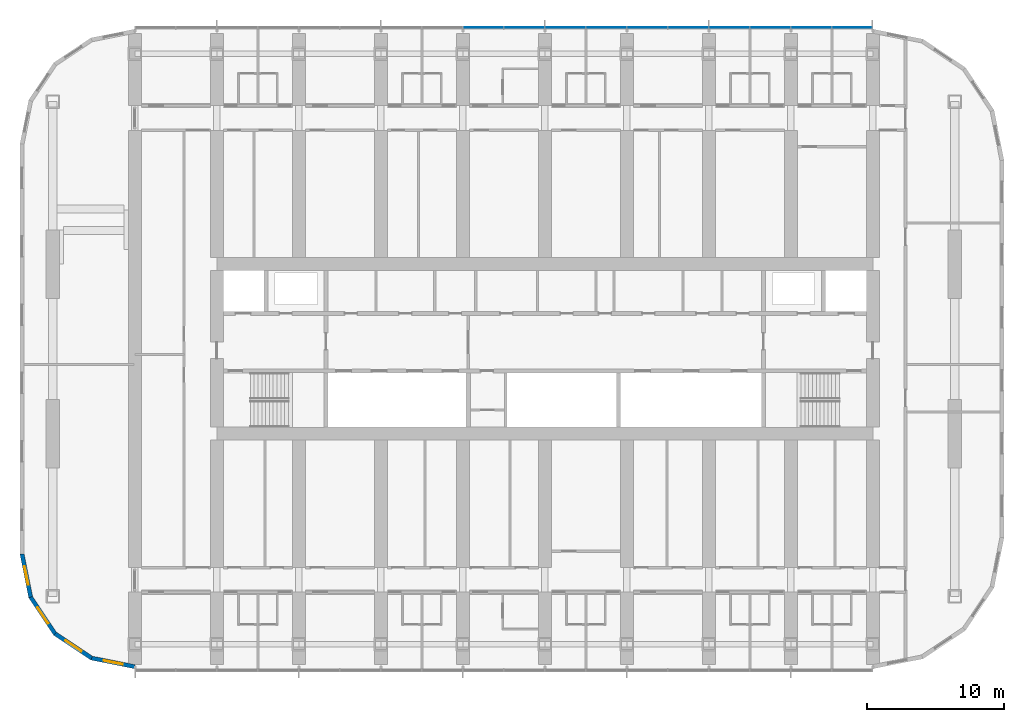
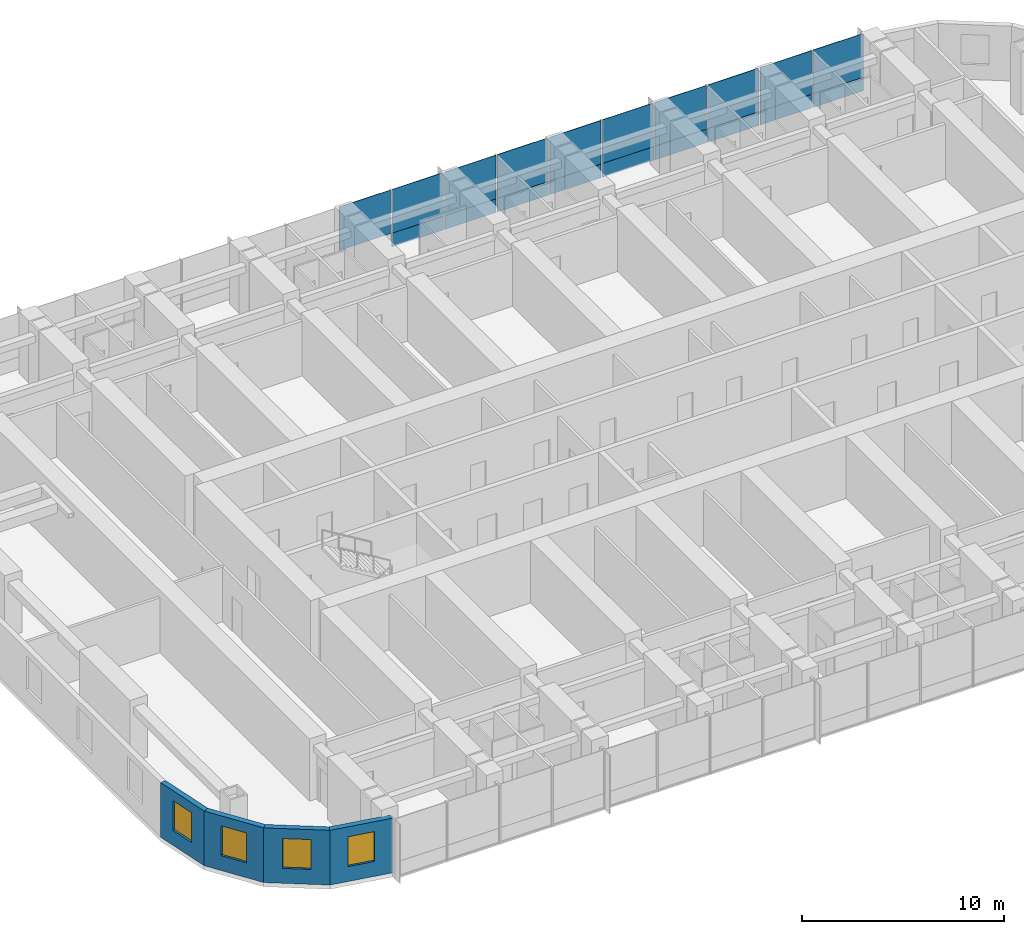
# One storey, part 7 of 21: 19 plates, 4 walls, 4 windows, 4 openings, 1 element without a shape of its own.
"""IFC4 building model written with IfcOpenShell, lengths in metres."""

from ifc_helpers import new_model, si_unit, direction, frame, frame_2d, origin, origin_2d, place, context, subcontext, project, spatial, polyline, rectangle, outline, extrude, material, layer, layer_set, type_object, element, fill, aggregate, save


model = new_model("IFC4")

# Units and contexts
model_context = context("Model", 3, precision=1e-05, world=origin(), true_north=direction((0.0, 1.0)))
body_context = subcontext(model_context, "Body", "Model", "MODEL_VIEW")
ifc_project = project(units=[si_unit("LENGTHUNIT", "METRE"), si_unit("AREAUNIT", "SQUARE_METRE"), si_unit("VOLUMEUNIT", "CUBIC_METRE"), si_unit("PLANEANGLEUNIT", "RADIAN"), si_unit("MASSUNIT", "GRAM", prefix="KILO")], contexts=[model_context])

# Site, building, storey
site_placement = place(None, origin())
site = spatial("IfcSite", under=ifc_project, at=site_placement, CompositionType="ELEMENT")
building_placement = place(site_placement, origin())
building = spatial("IfcBuilding", under=site, at=building_placement, Name="Orbita Commons", CompositionType="ELEMENT")
storey_placement = place(building_placement, frame((0.0, 0.0, 95.64990234375)))
storey = spatial("IfcBuildingStorey", under=building, at=storey_placement, Name="L23", CompositionType="ELEMENT", Elevation=95.64990234375)

# Curtain wall, plates
ifc_material_1 = material(Name="Anodised aluminium frame, pale silver", Category="aluminium")
curtain_wall_type = type_object("IfcCurtainWallType", Name="Unitised curtain wall CW-T, vision and spandrel", PredefinedType="NOTDEFINED", material=ifc_material_1)
curtain_wall_placement = place(storey_placement, origin())
curtain_wall = element("IfcCurtainWall", 1, at=curtain_wall_placement, inside=storey, type_object=curtain_wall_type, Name="Curtain wall north L23", PredefinedType="NOTDEFINED")
ifc_material_2 = material(Name="Anodised aluminium sheet on mineral wool", Category="aluminium")
ifc_layer_1 = layer(ifc_material_2, 0.050048828125)
ifc_layer_set_1 = layer_set([ifc_layer_1], Name="Anodised aluminium sheet on mineral wool")
plate_type_1 = type_object("IfcPlateType", Name="Spandrel panel, pale aluminium over insulation 50", PredefinedType="CURTAIN_PANEL", material=ifc_layer_set_1)
plate_1_placement = place(storey_placement, frame((64.47998046875, 55.510009765625, -0.14990234375), z_axis=(0.0, 0.0, 1.0), x_axis=(-1.0, 0.0, 0.0)))
plate_1 = element("IfcPlate", 2, at=plate_1_placement, type_object=plate_type_1, Name="Panel 1.1 CW-L23-N", PredefinedType="CURTAIN_PANEL", context=body_context, shape_type="SweptSolid", body=[
    extrude(rectangle(XDim=2.8798828125, YDim=0.050048828125, at=origin_2d()), origin(), (0.0, 0.0, 1.0), 0.822998046875),
])
plate_2_placement = place(storey_placement, frame((61.5, 55.510009765625, -0.14990234375), z_axis=(0.0, 0.0, 1.0), x_axis=(-1.0, 0.0, 0.0)))
plate_2 = element("IfcPlate", 3, at=plate_2_placement, type_object=plate_type_1, Name="Panel 2.1 CW-L23-N", PredefinedType="CURTAIN_PANEL", context=body_context, shape_type="SweptSolid", body=[
    extrude(rectangle(XDim=2.919921875, YDim=0.050048828125, at=origin_2d()), origin(), (0.0, 0.0, 1.0), 0.822998046875),
])
plate_3_placement = place(storey_placement, frame((58.5, 55.510009765625, -0.14990234375), z_axis=(0.0, 0.0, 1.0), x_axis=(-1.0, 0.0, 0.0)))
plate_3 = element("IfcPlate", 4, at=plate_3_placement, type_object=plate_type_1, Name="Panel 3.1 CW-L23-N", PredefinedType="CURTAIN_PANEL", context=body_context, shape_type="SweptSolid", body=[
    extrude(rectangle(XDim=2.919921875, YDim=0.050048828125, at=origin_2d()), origin(), (0.0, 0.0, 1.0), 0.822998046875),
])
plate_4_placement = place(storey_placement, frame((55.5, 55.510009765625, -0.14990234375), z_axis=(0.0, 0.0, 1.0), x_axis=(-1.0, 0.0, 0.0)))
plate_4 = element("IfcPlate", 5, at=plate_4_placement, type_object=plate_type_1, Name="Panel 4.1 CW-L23-N", PredefinedType="CURTAIN_PANEL", context=body_context, shape_type="SweptSolid", body=[
    extrude(rectangle(XDim=2.919921875, YDim=0.050048828125, at=origin_2d()), origin(), (0.0, 0.0, 1.0), 0.822998046875),
])
plate_5_placement = place(storey_placement, frame((52.5, 55.510009765625, -0.14990234375), z_axis=(0.0, 0.0, 1.0), x_axis=(-1.0, 0.0, 0.0)))
plate_5 = element("IfcPlate", 6, at=plate_5_placement, type_object=plate_type_1, Name="Panel 5.1 CW-L23-N", PredefinedType="CURTAIN_PANEL", context=body_context, shape_type="SweptSolid", body=[
    extrude(rectangle(XDim=2.919921875, YDim=0.050048828125, at=origin_2d()), origin(), (0.0, 0.0, 1.0), 0.822998046875),
])
plate_6_placement = place(storey_placement, frame((49.5, 55.510009765625, -0.14990234375), z_axis=(0.0, 0.0, 1.0), x_axis=(-1.0, 0.0, 0.0)))
plate_6 = element("IfcPlate", 7, at=plate_6_placement, type_object=plate_type_1, Name="Panel 6.1 CW-L23-N", PredefinedType="CURTAIN_PANEL", context=body_context, shape_type="SweptSolid", body=[
    extrude(rectangle(XDim=2.919921875, YDim=0.050048828125, at=origin_2d()), origin(), (0.0, 0.0, 1.0), 0.822998046875),
])
plate_7_placement = place(storey_placement, frame((46.5, 55.510009765625, -0.14990234375), z_axis=(0.0, 0.0, 1.0), x_axis=(-1.0, 0.0, 0.0)))
plate_7 = element("IfcPlate", 8, at=plate_7_placement, type_object=plate_type_1, Name="Panel 7.1 CW-L23-N", PredefinedType="CURTAIN_PANEL", context=body_context, shape_type="SweptSolid", body=[
    extrude(rectangle(XDim=2.919921875, YDim=0.050048828125, at=origin_2d()), origin(), (0.0, 0.0, 1.0), 0.822998046875),
])
plate_8_placement = place(storey_placement, frame((43.5, 55.510009765625, -0.14990234375), z_axis=(0.0, 0.0, 1.0), x_axis=(-1.0, 0.0, 0.0)))
plate_8 = element("IfcPlate", 9, at=plate_8_placement, type_object=plate_type_1, Name="Panel 8.1 CW-L23-N", PredefinedType="CURTAIN_PANEL", context=body_context, shape_type="SweptSolid", body=[
    extrude(rectangle(XDim=2.919921875, YDim=0.050048828125, at=origin_2d()), origin(), (0.0, 0.0, 1.0), 0.822998046875),
])
plate_9_placement = place(storey_placement, frame((40.5, 55.510009765625, -0.14990234375), z_axis=(0.0, 0.0, 1.0), x_axis=(-1.0, 0.0, 0.0)))
plate_9 = element("IfcPlate", 10, at=plate_9_placement, type_object=plate_type_1, Name="Panel 9.1 CW-L23-N", PredefinedType="CURTAIN_PANEL", context=body_context, shape_type="SweptSolid", body=[
    extrude(rectangle(XDim=2.919921875, YDim=0.050048828125, at=origin_2d()), origin(), (0.0, 0.0, 1.0), 0.822998046875),
])
ifc_material_3 = material(Name="Clear double glazing", Category="glass")
ifc_layer_2 = layer(ifc_material_3, 0.031982421875)
ifc_layer_set_2 = layer_set([ifc_layer_2], Name="Clear double glazing")
plate_type_2 = type_object("IfcPlateType", Name="Vision panel, clear double glazing 32", PredefinedType="CURTAIN_PANEL", material=ifc_layer_set_2)
plate_10_placement = place(storey_placement, frame((64.47998046875, 55.510009765625, 0.673095703125), z_axis=(0.0, 0.0, 1.0), x_axis=(-1.0, 0.0, 0.0)))
plate_10 = element("IfcPlate", 11, at=plate_10_placement, type_object=plate_type_2, Name="Panel 1.2 CW-L23-N", PredefinedType="CURTAIN_PANEL", context=body_context, shape_type="SweptSolid", body=[
    extrude(rectangle(XDim=2.8798828125, YDim=0.031982421875, at=origin_2d()), origin(), (0.0, 0.0, 1.0), 2.626953125),
])
plate_11_placement = place(storey_placement, frame((61.5, 55.510009765625, 0.673095703125), z_axis=(0.0, 0.0, 1.0), x_axis=(-1.0, 0.0, 0.0)))
plate_11 = element("IfcPlate", 12, at=plate_11_placement, type_object=plate_type_2, Name="Panel 2.2 CW-L23-N", PredefinedType="CURTAIN_PANEL", context=body_context, shape_type="SweptSolid", body=[
    extrude(rectangle(XDim=2.919921875, YDim=0.031982421875, at=origin_2d()), origin(), (0.0, 0.0, 1.0), 2.626953125),
])
plate_12_placement = place(storey_placement, frame((58.5, 55.510009765625, 0.673095703125), z_axis=(0.0, 0.0, 1.0), x_axis=(-1.0, 0.0, 0.0)))
plate_12 = element("IfcPlate", 13, at=plate_12_placement, type_object=plate_type_2, Name="Panel 3.2 CW-L23-N", PredefinedType="CURTAIN_PANEL", context=body_context, shape_type="SweptSolid", body=[
    extrude(rectangle(XDim=2.919921875, YDim=0.031982421875, at=origin_2d()), origin(), (0.0, 0.0, 1.0), 2.626953125),
])
plate_13_placement = place(storey_placement, frame((55.5, 55.510009765625, 0.673095703125), z_axis=(0.0, 0.0, 1.0), x_axis=(-1.0, 0.0, 0.0)))
plate_13 = element("IfcPlate", 14, at=plate_13_placement, type_object=plate_type_2, Name="Panel 4.2 CW-L23-N", PredefinedType="CURTAIN_PANEL", context=body_context, shape_type="SweptSolid", body=[
    extrude(rectangle(XDim=2.919921875, YDim=0.031982421875, at=origin_2d()), origin(), (0.0, 0.0, 1.0), 2.626953125),
])
plate_14_placement = place(storey_placement, frame((52.5, 55.510009765625, 0.673095703125), z_axis=(0.0, 0.0, 1.0), x_axis=(-1.0, 0.0, 0.0)))
plate_14 = element("IfcPlate", 15, at=plate_14_placement, type_object=plate_type_2, Name="Panel 5.2 CW-L23-N", PredefinedType="CURTAIN_PANEL", context=body_context, shape_type="SweptSolid", body=[
    extrude(rectangle(XDim=2.919921875, YDim=0.031982421875, at=origin_2d()), origin(), (0.0, 0.0, 1.0), 2.626953125),
])
plate_15_placement = place(storey_placement, frame((49.5, 55.510009765625, 0.673095703125), z_axis=(0.0, 0.0, 1.0), x_axis=(-1.0, 0.0, 0.0)))
plate_15 = element("IfcPlate", 16, at=plate_15_placement, type_object=plate_type_2, Name="Panel 6.2 CW-L23-N", PredefinedType="CURTAIN_PANEL", context=body_context, shape_type="SweptSolid", body=[
    extrude(rectangle(XDim=2.919921875, YDim=0.031982421875, at=origin_2d()), origin(), (0.0, 0.0, 1.0), 2.626953125),
])
plate_16_placement = place(storey_placement, frame((46.5, 55.510009765625, 0.673095703125), z_axis=(0.0, 0.0, 1.0), x_axis=(-1.0, 0.0, 0.0)))
plate_16 = element("IfcPlate", 17, at=plate_16_placement, type_object=plate_type_2, Name="Panel 7.2 CW-L23-N", PredefinedType="CURTAIN_PANEL", context=body_context, shape_type="SweptSolid", body=[
    extrude(rectangle(XDim=2.919921875, YDim=0.031982421875, at=origin_2d()), origin(), (0.0, 0.0, 1.0), 2.626953125),
])
plate_17_placement = place(storey_placement, frame((43.5, 55.510009765625, 0.673095703125), z_axis=(0.0, 0.0, 1.0), x_axis=(-1.0, 0.0, 0.0)))
plate_17 = element("IfcPlate", 18, at=plate_17_placement, type_object=plate_type_2, Name="Panel 8.2 CW-L23-N", PredefinedType="CURTAIN_PANEL", context=body_context, shape_type="SweptSolid", body=[
    extrude(rectangle(XDim=2.919921875, YDim=0.031982421875, at=origin_2d()), origin(), (0.0, 0.0, 1.0), 2.626953125),
])
plate_18_placement = place(storey_placement, frame((40.5, 55.510009765625, 0.673095703125), z_axis=(0.0, 0.0, 1.0), x_axis=(-1.0, 0.0, 0.0)))
plate_18 = element("IfcPlate", 19, at=plate_18_placement, type_object=plate_type_2, Name="Panel 9.2 CW-L23-N", PredefinedType="CURTAIN_PANEL", context=body_context, shape_type="SweptSolid", body=[
    extrude(rectangle(XDim=2.919921875, YDim=0.031982421875, at=origin_2d()), origin(), (0.0, 0.0, 1.0), 2.626953125),
])
plate_19_placement = place(storey_placement, frame((37.5, 55.510009765625, 0.673095703125), z_axis=(0.0, 0.0, 1.0), x_axis=(-1.0, 0.0, 0.0)))
plate_19 = element("IfcPlate", 20, at=plate_19_placement, type_object=plate_type_2, Name="Panel 10.2 CW-L23-N", PredefinedType="CURTAIN_PANEL", context=body_context, shape_type="SweptSolid", body=[
    extrude(rectangle(XDim=2.919921875, YDim=0.031982421875, at=origin_2d()), origin(), (0.0, 0.0, 1.0), 2.626953125),
])
aggregate(curtain_wall, [plate_1, plate_10, plate_2, plate_11, plate_3, plate_12, plate_4, plate_13, plate_5, plate_14, plate_6, plate_15, plate_7, plate_16, plate_8, plate_17, plate_9, plate_18, plate_19])

# Wall, opening, window
ifc_material_4 = material(Name="Precast concrete C40/50, white board-marked finish", Category="concrete")
ifc_layer_3 = layer(ifc_material_4, 0.300048828125)
ifc_layer_set_3 = layer_set([ifc_layer_3], Name="Precast concrete C40/50, white board-marked finish")
wall_type = type_object("IfcWallType", Name="Precast concrete end shield 300", PredefinedType="SOLIDWALL", material=ifc_layer_set_3)
wall_1_placement = place(storey_placement, frame((3.75, 17.0, 0.0), z_axis=(0.0, 0.0, 1.0), x_axis=(0.195080412259, -0.980787251524, 0.0)))
wall_1 = element("IfcWall", 21, at=wall_1_placement, inside=storey, type_object=wall_type, Name="End shield SW chord 1 L23", PredefinedType="SOLIDWALL", context=body_context, shape_type="SweptSolid", body=[
    extrude(outline(polyline([(-0.014892578125, -0.14990234375), (3.24853515625, -0.14990234375), (3.18896484375, 0.14990234375), (0.014892578125, 0.14990234375), (-0.014892578125, -0.14990234375)])), origin(), (0.0, 0.0, 1.0), 3.300048828125),
])
opening_1_placement = place(wall_1_placement, frame((0.909423828125, 0.0, 0.89990234375)))
opening_1 = element("IfcOpeningElement", 22, at=opening_1_placement, cuts=wall_1, Name="Opening W02", PredefinedType="OPENING", context=body_context, shape_type="SweptSolid", body=[
    extrude(rectangle(XDim=1.39990234375, YDim=1.800048828125, at=frame_2d((0.699951171875, 0.89990234375))), frame((0.0, 0.159912109375, 0.0), z_axis=(0.0, -1.0, 0.0), x_axis=(1.0, 0.0, 0.0)), (0.0, 0.0, 1.0), 0.320068359375),
])
ifc_material_5 = material(Name="Aluminium frame, clear double glazing", Category="aluminium")
window_type = type_object("IfcWindowType", Name="Deep-set window 1400x1800", PartitioningType="SINGLE_PANEL", PredefinedType="WINDOW", material=ifc_material_5)
window_1_placement = place(opening_1_placement, origin())
window_1 = element("IfcWindow", 23, at=window_1_placement, inside=storey, type_object=window_type, Name="Window L23-SW0", OverallHeight=1.800048828125, OverallWidth=1.39990234375, PartitioningType="SINGLE_PANEL", PredefinedType="WINDOW", context=body_context, shape_type="SweptSolid", body=[
    extrude(rectangle(XDim=1.39990234375, YDim=1.800048828125, at=frame_2d((0.699951171875, 0.89990234375))), frame((0.0, 0.030029296875, 0.0), z_axis=(0.0, -1.0, 0.0), x_axis=(1.0, 0.0, 0.0)), (0.0, 0.0, 1.0), 0.06005859375),
])
fill(opening_1, window_1)

wall_2_placement = place(storey_placement, frame((4.3779296875, 13.843017578125, 0.0), z_axis=(0.0, 0.0, 1.0), x_axis=(0.555609954424, -0.831443069936, 0.0)))
wall_2 = element("IfcWall", 24, at=wall_2_placement, inside=storey, type_object=wall_type, Name="End shield SW chord 2 L23", PredefinedType="SOLIDWALL", context=body_context, shape_type="SweptSolid", body=[
    extrude(outline(polyline([(-0.02978515625, -0.14990234375), (3.2490234375, -0.14990234375), (3.189453125, 0.14990234375), (0.02978515625, 0.14990234375), (-0.02978515625, -0.14990234375)])), origin(), (0.0, 0.0, 1.0), 3.300048828125),
])
opening_2_placement = place(wall_2_placement, frame((0.909423828125, 0.0, 0.89990234375)))
opening_2 = element("IfcOpeningElement", 25, at=opening_2_placement, cuts=wall_2, Name="Opening W02", PredefinedType="OPENING", context=body_context, shape_type="SweptSolid", body=[
    extrude(rectangle(XDim=1.39990234375, YDim=1.800048828125, at=frame_2d((0.699951171875, 0.89990234375))), frame((0.0, 0.159912109375, 0.0), z_axis=(0.0, -1.0, 0.0), x_axis=(1.0, 0.0, 0.0)), (0.0, 0.0, 1.0), 0.320068359375),
])
window_2_placement = place(opening_2_placement, origin())
window_2 = element("IfcWindow", 26, at=window_2_placement, inside=storey, type_object=window_type, Name="Window L23-SW1", OverallHeight=1.800048828125, OverallWidth=1.39990234375, PartitioningType="SINGLE_PANEL", PredefinedType="WINDOW", context=body_context, shape_type="SweptSolid", body=[
    extrude(rectangle(XDim=1.39990234375, YDim=1.800048828125, at=frame_2d((0.699951171875, 0.89990234375))), frame((0.0, 0.030029296875, 0.0), z_axis=(0.0, -1.0, 0.0), x_axis=(1.0, 0.0, 0.0)), (0.0, 0.0, 1.0), 0.06005859375),
])
fill(opening_2, window_2)

wall_3_placement = place(storey_placement, frame((6.16650390625, 11.16650390625, 0.0), z_axis=(0.0, 0.0, 1.0), x_axis=(0.831443069936, -0.555609954424, 0.0)))
wall_3 = element("IfcWall", 27, at=wall_3_placement, inside=storey, type_object=wall_type, Name="End shield SW chord 3 L23", PredefinedType="SOLIDWALL", context=body_context, shape_type="SweptSolid", body=[
    extrude(outline(polyline([(-0.02978515625, -0.14990234375), (3.2490234375, -0.14990234375), (3.189453125, 0.14990234375), (0.02978515625, 0.14990234375), (-0.02978515625, -0.14990234375)])), origin(), (0.0, 0.0, 1.0), 3.300048828125),
])
opening_3_placement = place(wall_3_placement, frame((0.909423828125, 0.0, 0.89990234375)))
opening_3 = element("IfcOpeningElement", 28, at=opening_3_placement, cuts=wall_3, Name="Opening W02", PredefinedType="OPENING", context=body_context, shape_type="SweptSolid", body=[
    extrude(rectangle(XDim=1.39990234375, YDim=1.800048828125, at=frame_2d((0.699951171875, 0.89990234375))), frame((0.0, 0.159912109375, 0.0), z_axis=(0.0, -1.0, 0.0), x_axis=(1.0, 0.0, 0.0)), (0.0, 0.0, 1.0), 0.320068359375),
])
window_3_placement = place(opening_3_placement, origin())
window_3 = element("IfcWindow", 29, at=window_3_placement, inside=storey, type_object=window_type, Name="Window L23-SW2", OverallHeight=1.800048828125, OverallWidth=1.39990234375, PartitioningType="SINGLE_PANEL", PredefinedType="WINDOW", context=body_context, shape_type="SweptSolid", body=[
    extrude(rectangle(XDim=1.39990234375, YDim=1.800048828125, at=frame_2d((0.699951171875, 0.89990234375))), frame((0.0, 0.030029296875, 0.0), z_axis=(0.0, -1.0, 0.0), x_axis=(1.0, 0.0, 0.0)), (0.0, 0.0, 1.0), 0.06005859375),
])
fill(opening_3, window_3)

wall_4_placement = place(storey_placement, frame((8.843017578125, 9.3779296875, 0.0), z_axis=(0.0, 0.0, 1.0), x_axis=(0.980787251524, -0.195080412259, 0.0)))
wall_4 = element("IfcWall", 30, at=wall_4_placement, inside=storey, type_object=wall_type, Name="End shield SW chord 4 L23", PredefinedType="SOLIDWALL", context=body_context, shape_type="SweptSolid", body=[
    extrude(outline(polyline([(-0.02978515625, -0.14990234375), (3.24853515625, -0.14990234375), (3.18896484375, 0.14990234375), (0.02978515625, 0.14990234375), (-0.02978515625, -0.14990234375)])), origin(), (0.0, 0.0, 1.0), 3.300048828125),
])
opening_4_placement = place(wall_4_placement, frame((0.909423828125, 0.0, 0.89990234375)))
opening_4 = element("IfcOpeningElement", 31, at=opening_4_placement, cuts=wall_4, Name="Opening W02", PredefinedType="OPENING", context=body_context, shape_type="SweptSolid", body=[
    extrude(rectangle(XDim=1.39990234375, YDim=1.800048828125, at=frame_2d((0.699951171875, 0.89990234375))), frame((0.0, 0.159912109375, 0.0), z_axis=(0.0, -1.0, 0.0), x_axis=(1.0, 0.0, 0.0)), (0.0, 0.0, 1.0), 0.320068359375),
])
window_4_placement = place(opening_4_placement, origin())
window_4 = element("IfcWindow", 32, at=window_4_placement, inside=storey, type_object=window_type, Name="Window L23-SW3", OverallHeight=1.800048828125, OverallWidth=1.39990234375, PartitioningType="SINGLE_PANEL", PredefinedType="WINDOW", context=body_context, shape_type="SweptSolid", body=[
    extrude(rectangle(XDim=1.39990234375, YDim=1.800048828125, at=frame_2d((0.699951171875, 0.89990234375))), frame((0.0, 0.030029296875, 0.0), z_axis=(0.0, -1.0, 0.0), x_axis=(1.0, 0.0, 0.0)), (0.0, 0.0, 1.0), 0.06005859375),
])
fill(opening_4, window_4)

save(model, "model.ifc")
